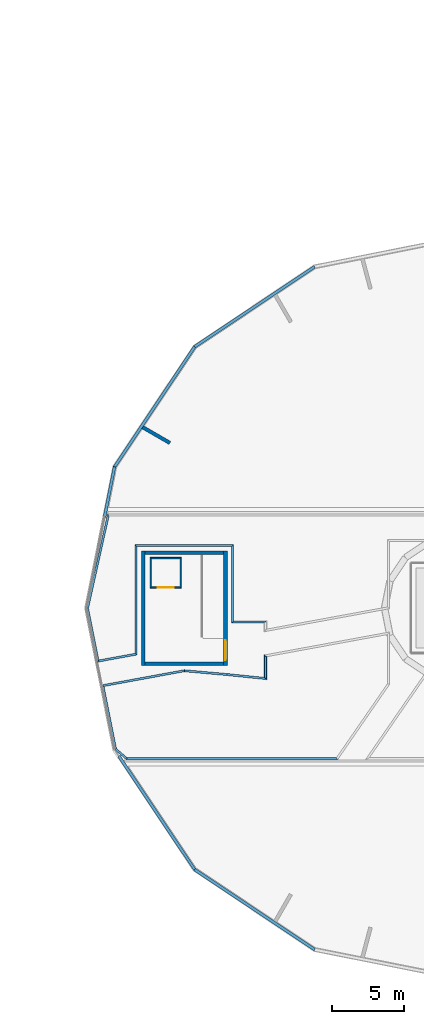
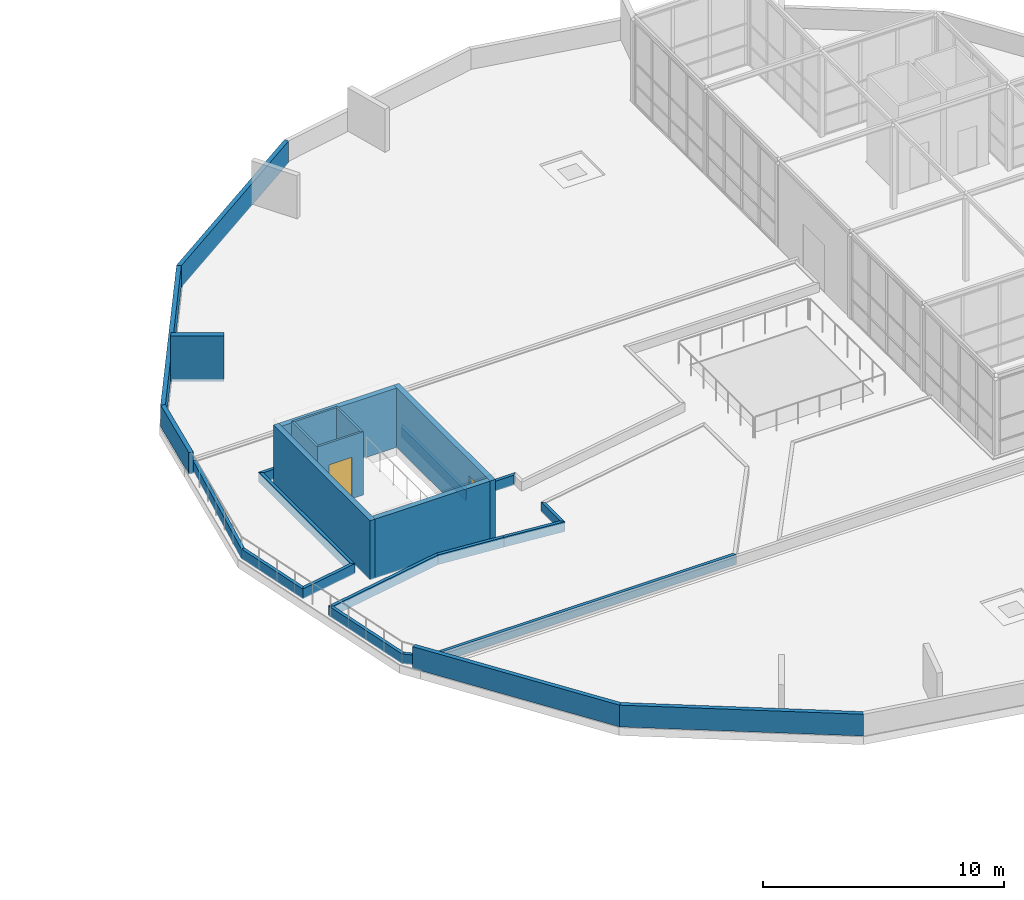
# One storey, part 25 of 40: 28 walls, 2 doors, 2 openings.
"""IFC4 building model written with IfcOpenShell, lengths in metres."""

from ifc_helpers import new_model, si_unit, direction, frame, frame_2d, origin, place, context, subcontext, project, spatial, polyline, rectangle, outline, extrude, material, layer, layer_set, type_object, element, fill, save


model = new_model("IFC4")

# Units and contexts
model_context = context("Model", 3, precision=1e-05, world=origin(), true_north=direction((0.0, 1.0)))
body_context = subcontext(model_context, "Body", "Model", "MODEL_VIEW")
ifc_project = project(units=[si_unit("LENGTHUNIT", "METRE"), si_unit("AREAUNIT", "SQUARE_METRE"), si_unit("VOLUMEUNIT", "CUBIC_METRE"), si_unit("PLANEANGLEUNIT", "RADIAN"), si_unit("MASSUNIT", "GRAM", prefix="KILO")], contexts=[model_context])

# Site, building, storey
site_placement = place(None, origin())
site = spatial("IfcSite", under=ifc_project, at=site_placement, CompositionType="ELEMENT")
building_placement = place(site_placement, origin())
building = spatial("IfcBuilding", under=site, at=building_placement, Name="Ceibo Conservatory and Research Tower", CompositionType="ELEMENT")
storey_placement = place(building_placement, frame((0.0, 0.0, 6.0)))
storey = spatial("IfcBuildingStorey", under=building, at=storey_placement, Name="L01", CompositionType="ELEMENT", Elevation=6.0)

# Wall, opening, door
ifc_material_1 = material(Name="Aluminium and glass", Category="aluminium")
ifc_layer_1 = layer(ifc_material_1, 0.10009765625)
ifc_layer_set_1 = layer_set([ifc_layer_1], Name="Aluminium and glass")
wall_type_1 = type_object("IfcWallType", Name="Glazed lift enclosure 100", PredefinedType="PARTITIONING", material=ifc_layer_set_1)
wall_1_placement = place(storey_placement, frame((146.64990234375, 37.449951171875, 0.0), z_axis=(0.0, 0.0, 1.0), x_axis=(1.0, 0.0, 0.0)))
wall_1 = element("IfcWall", 1, at=wall_1_placement, inside=storey, type_object=wall_type_1, Name="Lift enclosure wall 1 upper", PredefinedType="PARTITIONING", context=body_context, shape_type="SweptSolid", body=[
    extrude(outline(polyline([(-0.050048828125, -0.050048828125), (2.150146484375, -0.050048828125), (2.050048828125, 0.050048828125), (0.050048828125, 0.050048828125), (-0.050048828125, -0.050048828125)])), origin(), (0.0, 0.0, 1.0), 3.199951171875),
])
opening_1_placement = place(wall_1_placement, frame((0.5, 0.0, 0.0)))
opening_1 = element("IfcOpeningElement", 2, at=opening_1_placement, cuts=wall_1, Name="Opening VC-LDU", PredefinedType="OPENING", context=body_context, shape_type="SweptSolid", body=[
    extrude(rectangle(XDim=1.10009765625, YDim=2.10009765625, at=frame_2d((0.550048828125, 1.050048828125))), frame((0.0, 0.06005859375, 0.0), z_axis=(0.0, -1.0, 0.0), x_axis=(1.0, 0.0, 0.0)), (0.0, 0.0, 1.0), 0.1201171875),
])
door_type_1 = type_object("IfcDoorType", Name="Glass lift landing door 1100x2100", OperationType="DOUBLE_DOOR_SLIDING", PredefinedType="DOOR", material=ifc_material_1)
door_1_placement = place(opening_1_placement, origin())
door_1 = element("IfcDoor", 3, at=door_1_placement, inside=storey, type_object=door_type_1, Name="Lift landing door U", OperationType="DOUBLE_DOOR_SLIDING", OverallHeight=2.10009765625, OverallWidth=1.10009765625, PredefinedType="DOOR", context=body_context, shape_type="SweptSolid", body=[
    extrude(rectangle(XDim=1.10009765625, YDim=2.10009765625, at=frame_2d((0.550048828125, 1.050048828125))), frame((0.0, 0.02490234375, 0.0), z_axis=(0.0, -1.0, 0.0), x_axis=(1.0, 0.0, 0.0)), (0.0, 0.0, 1.0), 0.050048828125),
])
fill(opening_1, door_1)

# Walls
wall_2_placement = place(storey_placement, frame((148.75, 37.449951171875, 0.0), z_axis=(0.0, 0.0, 1.0), x_axis=(0.0, 1.0, 0.0)))
element("IfcWall", 4, at=wall_2_placement, inside=storey, type_object=wall_type_1, Name="Lift enclosure wall 2 upper", PredefinedType="PARTITIONING", context=body_context, shape_type="SweptSolid", body=[
    extrude(outline(polyline([(-0.050048828125, -0.050048828125), (2.10009765625, -0.050048828125), (2.0, 0.050048828125), (0.050048828125, 0.050048828125), (-0.050048828125, -0.050048828125)])), origin(), (0.0, 0.0, 1.0), 3.199951171875),
])
wall_3_placement = place(storey_placement, frame((148.75, 39.5, 0.0), z_axis=(0.0, 0.0, 1.0), x_axis=(-1.0, 0.0, 0.0)))
element("IfcWall", 5, at=wall_3_placement, inside=storey, type_object=wall_type_1, Name="Lift enclosure wall 3 upper", PredefinedType="PARTITIONING", context=body_context, shape_type="SweptSolid", body=[
    extrude(outline(polyline([(-0.050048828125, -0.050048828125), (2.150146484375, -0.050048828125), (2.050048828125, 0.050048828125), (0.050048828125, 0.050048828125), (-0.050048828125, -0.050048828125)])), origin(), (0.0, 0.0, 1.0), 3.199951171875),
])
wall_4_placement = place(storey_placement, frame((146.64990234375, 39.5, 0.0), z_axis=(0.0, 0.0, 1.0), x_axis=(0.0, -1.0, 0.0)))
element("IfcWall", 6, at=wall_4_placement, inside=storey, type_object=wall_type_1, Name="Lift enclosure wall 4 upper", PredefinedType="PARTITIONING", context=body_context, shape_type="SweptSolid", body=[
    extrude(outline(polyline([(-0.050048828125, -0.050048828125), (2.10009765625, -0.050048828125), (2.0, 0.050048828125), (0.050048828125, 0.050048828125), (-0.050048828125, -0.050048828125)])), origin(), (0.0, 0.0, 1.0), 3.199951171875),
])

# Wall, opening, door
ifc_material_2 = material(Name="Concrete C35/45", Category="concrete")
ifc_layer_2 = layer(ifc_material_2, 0.25)
ifc_layer_set_2 = layer_set([ifc_layer_2], Name="Concrete C35/45")
wall_type_2 = type_object("IfcWallType", Name="Head house wall 250", PredefinedType="SOLIDWALL", material=ifc_layer_set_2)
wall_5_placement = place(storey_placement, frame((151.875, 32.0, -0.050048828125), z_axis=(0.0, 0.0, 1.0), x_axis=(0.0, 1.0, 0.0)))
wall_5 = element("IfcWall", 7, at=wall_5_placement, inside=storey, type_object=wall_type_2, Name="Head house wall VC-HE", PredefinedType="SOLIDWALL", context=body_context, shape_type="SweptSolid", body=[
    extrude(rectangle(XDim=8.0, YDim=0.25, at=frame_2d((4.0, 0.0))), origin(), (0.0, 0.0, 1.0), 3.0),
])
opening_2_placement = place(wall_5_placement, frame((0.364990234375, 0.0, 0.0)))
opening_2 = element("IfcOpeningElement", 8, at=opening_2_placement, cuts=wall_5, Name="Opening VC-HD1", PredefinedType="OPENING", context=body_context, shape_type="SweptSolid", body=[
    extrude(rectangle(XDim=1.39990234375, YDim=2.199951171875, at=frame_2d((0.699951171875, 1.10009765625))), frame((0.0, 0.135009765625, 0.0), z_axis=(0.0, -1.0, 0.0), x_axis=(1.0, 0.0, 0.0)), (0.0, 0.0, 1.0), 0.27001953125),
])
door_type_2 = type_object("IfcDoorType", Name="Head house door 1400x2200", OperationType="DOUBLE_DOOR_SINGLE_SWING", PredefinedType="DOOR", material=ifc_material_1)
door_2_placement = place(opening_2_placement, origin())
door_2 = element("IfcDoor", 9, at=door_2_placement, inside=storey, type_object=door_type_2, Name="Head house door onto the terrace", OperationType="DOUBLE_DOOR_SINGLE_SWING", OverallHeight=2.199951171875, OverallWidth=1.39990234375, PredefinedType="DOOR", context=body_context, shape_type="SweptSolid", body=[
    extrude(rectangle(XDim=1.39990234375, YDim=2.199951171875, at=frame_2d((0.699951171875, 1.10009765625))), frame((0.0, 0.02490234375, 0.0), z_axis=(0.0, -1.0, 0.0), x_axis=(1.0, 0.0, 0.0)), (0.0, 0.0, 1.0), 0.050048828125),
])
fill(opening_2, door_2)

# Walls
wall_6_placement = place(storey_placement, frame((146.125, 32.0, -0.050048828125), z_axis=(0.0, 0.0, 1.0), x_axis=(0.0, 1.0, 0.0)))
element("IfcWall", 10, at=wall_6_placement, inside=storey, type_object=wall_type_2, Name="Head house wall VC-HW", PredefinedType="SOLIDWALL", context=body_context, shape_type="SweptSolid", body=[
    extrude(rectangle(XDim=8.0, YDim=0.25, at=frame_2d((4.0, 0.0))), origin(), (0.0, 0.0, 1.0), 3.0),
])
for number, where, z_axis, x_axis, name in (
    (11, (146.25, 32.125, -0.050048828125), (0.0, 0.0, 1.0), (1.0, 0.0, 0.0), "Head house wall VC-HS"),
    (12, (146.25, 39.875, -0.050048828125), (0.0, 0.0, 1.0), (1.0, 0.0, 0.0), "Head house wall VC-HN"),
):
    element("IfcWall", number, at=place(storey_placement, frame(where, z_axis=z_axis, x_axis=x_axis)), inside=storey, type_object=wall_type_2, Name=name, PredefinedType="SOLIDWALL", context=body_context, shape_type="SweptSolid", body=[
        extrude(rectangle(XDim=5.5, YDim=0.25, at=frame_2d((2.75, 0.0))), origin(), (0.0, 0.0, 1.0), 3.0),
    ])
ifc_layer_3 = layer(ifc_material_2, 0.25)
ifc_layer_set_3 = layer_set([ifc_layer_3], Name="Concrete C35/45")
wall_type_3 = type_object("IfcWallType", Name="Rim crown fin 250", PredefinedType="SOLIDWALL", material=ifc_layer_set_3)
wall_7_placement = place(storey_placement, frame((146.085693359375, 48.65234375, -0.050048828125), z_axis=(0.0, 0.0, 1.0), x_axis=(0.86598042715, -0.500077893725, 0.0)))
element("IfcWall", 13, at=wall_7_placement, inside=storey, type_object=wall_type_3, Name="Rim crown fin VC-CF06", PredefinedType="SOLIDWALL", context=body_context, shape_type="SweptSolid", body=[
    extrude(outline(polyline([(-0.00830078125, -0.125), (2.199951171875, -0.125), (2.199951171875, 0.125), (0.00830078125, 0.125), (-0.00830078125, -0.125)])), origin(), (0.0, 0.0, 1.0), 2.300048828125),
])
ifc_material_3 = material(Name="Concrete C30/37", Category="concrete")
ifc_layer_4 = layer(ifc_material_3, 0.14990234375)
ifc_layer_set_4 = layer_set([ifc_layer_4], Name="Concrete C30/37")
wall_type_4 = type_object("IfcWallType", Name="Roof garden bed kerb wall 150", PredefinedType="PARAPET", material=ifc_layer_set_4)
wall_8_placement = place(storey_placement, frame((148.99609375, 31.62451171875, -0.050048828125), z_axis=(0.0, 0.0, 1.0), x_axis=(-0.983582964216, -0.180456511395, 0.0)))
element("IfcWall", 14, at=wall_8_placement, inside=storey, type_object=wall_type_4, Name="Planting bed PB01 kerb 01", PredefinedType="PARAPET", context=body_context, shape_type="SweptSolid", body=[
    extrude(outline(polyline([(-0.01025390625, -0.074951171875), (5.85986328125, -0.074951171875), (5.70751953125, 0.074951171875), (0.01025390625, 0.074951171875), (-0.01025390625, -0.074951171875)])), origin(), (0.0, 0.0, 1.0), 0.5),
])
wall_9_placement = place(storey_placement, frame((143.307373046875, 30.580810546875, -0.050048828125), z_axis=(0.0, 0.0, 1.0), x_axis=(0.195097795379, -0.980783793829, 0.0)))
element("IfcWall", 15, at=wall_9_placement, inside=storey, type_object=wall_type_4, Name="Planting bed PB01 kerb 02", PredefinedType="PARAPET", context=body_context, shape_type="SweptSolid", body=[
    extrude(outline(polyline([(-0.076171875, -0.074951171875), (4.544677734375, -0.074951171875), (4.492919921875, 0.074951171875), (0.076171875, 0.074951171875), (-0.076171875, -0.074951171875)])), origin(), (0.0, 0.0, 1.0), 0.5),
])
wall_10_placement = place(storey_placement, frame((144.18896484375, 26.14892578125, -0.050048828125), z_axis=(0.0, 0.0, 1.0), x_axis=(0.760451137775, -0.649395154783, 0.0)))
element("IfcWall", 16, at=wall_10_placement, inside=storey, type_object=wall_type_4, Name="Planting bed PB01 kerb 03", PredefinedType="PARAPET", context=body_context, shape_type="SweptSolid", body=[
    extrude(outline(polyline([(-0.02587890625, -0.074951171875), (1.065185546875, -0.074951171875), (1.010009765625, 0.074951171875), (0.02587890625, 0.074951171875), (-0.02587890625, -0.074951171875)])), origin(), (0.0, 0.0, 1.0), 0.5),
])
wall_11_placement = place(storey_placement, frame((144.97802734375, 25.47509765625, -0.050048828125), z_axis=(0.0, 0.0, 1.0), x_axis=(1.0, 0.0, 0.0)))
element("IfcWall", 17, at=wall_11_placement, inside=storey, type_object=wall_type_4, Name="Planting bed PB01 kerb 04", PredefinedType="PARAPET", context=body_context, shape_type="SweptSolid", body=[
    extrude(outline(polyline([(-0.027587890625, -0.074951171875), (14.736083984375, -0.074951171875), (14.657470703125, 0.074951171875), (0.027587890625, 0.074951171875), (-0.027587890625, -0.074951171875)])), origin(), (0.0, 0.0, 1.0), 0.5),
])
wall_12_placement = place(storey_placement, frame((154.675048828125, 32.666015625, -0.050048828125), z_axis=(0.0, 0.0, 1.0), x_axis=(0.0, -1.0, 0.0)))
element("IfcWall", 18, at=wall_12_placement, inside=storey, type_object=wall_type_4, Name="Planting bed PB01 kerb 08", PredefinedType="PARAPET", context=body_context, shape_type="SweptSolid", body=[
    extrude(outline(polyline([(-0.0625, -0.074951171875), (1.501220703125, -0.074951171875), (1.667236328125, 0.074951171875), (0.0625, 0.074951171875), (-0.0625, -0.074951171875)])), origin(), (0.0, 0.0, 1.0), 0.5),
])
wall_13_placement = place(storey_placement, frame((154.675048828125, 31.081787109375, -0.050048828125), z_axis=(0.0, 0.0, 1.0), x_axis=(-0.994742485046, 0.102407951082, 0.0)))
element("IfcWall", 19, at=wall_13_placement, inside=storey, type_object=wall_type_4, Name="Planting bed PB01 kerb 09", PredefinedType="PARAPET", context=body_context, shape_type="SweptSolid", body=[
    extrude(outline(polyline([(0.0830078125, -0.074951171875), (2.69677734375, -0.074951171875), (2.69580078125, 0.074951171875), (-0.0830078125, 0.074951171875), (0.0830078125, -0.074951171875)])), origin(), (0.0, 0.0, 1.0), 0.5),
])
wall_14_placement = place(storey_placement, frame((151.992919921875, 31.35791015625, -0.050048828125), z_axis=(0.0, 0.0, 1.0), x_axis=(-0.996066276854, 0.088611354324, 0.0)))
element("IfcWall", 20, at=wall_14_placement, inside=storey, type_object=wall_type_4, Name="Planting bed PB01 kerb 10", PredefinedType="PARAPET", context=body_context, shape_type="SweptSolid", body=[
    extrude(outline(polyline([(-0.00048828125, -0.074951171875), (3.018798828125, -0.074951171875), (2.998291015625, 0.074951171875), (0.00048828125, 0.074951171875), (-0.00048828125, -0.074951171875)])), origin(), (0.0, 0.0, 1.0), 0.5),
])
wall_15_placement = place(storey_placement, frame((143.687255859375, 42.52490234375, -0.050048828125), z_axis=(0.0, 0.0, 1.0), x_axis=(-0.218008911862, -0.975946778441, 0.0)))
element("IfcWall", 21, at=wall_15_placement, inside=storey, type_object=wall_type_4, Name="Planting bed PB02 kerb 03", PredefinedType="PARAPET", context=body_context, shape_type="SweptSolid", body=[
    extrude(outline(polyline([(-0.06005859375, -0.074951171875), (6.70263671875, -0.074951171875), (6.6708984375, 0.074951171875), (0.06005859375, 0.074951171875), (-0.06005859375, -0.074951171875)])), origin(), (0.0, 0.0, 1.0), 0.5),
])
wall_16_placement = place(storey_placement, frame((142.2294921875, 35.9990234375, -0.050048828125), z_axis=(0.0, 0.0, 1.0), x_axis=(0.195095964935, -0.98078415794, 0.0)))
element("IfcWall", 22, at=wall_16_placement, inside=storey, type_object=wall_type_4, Name="Planting bed PB02 kerb 04", PredefinedType="PARAPET", context=body_context, shape_type="SweptSolid", body=[
    extrude(outline(polyline([(-0.015869140625, -0.074951171875), (3.847900390625, -0.074951171875), (3.700439453125, 0.074951171875), (0.015869140625, 0.074951171875), (-0.015869140625, -0.074951171875)])), origin(), (0.0, 0.0, 1.0), 0.5),
])
wall_17_placement = place(storey_placement, frame((142.9658203125, 32.29736328125, -0.050048828125), z_axis=(0.0, 0.0, 1.0), x_axis=(0.983588399423, 0.180426884139, 0.0)))
element("IfcWall", 23, at=wall_17_placement, inside=storey, type_object=wall_type_4, Name="Planting bed PB02 kerb 05", PredefinedType="PARAPET", context=body_context, shape_type="SweptSolid", body=[
    extrude(outline(polyline([(-0.07373046875, -0.074951171875), (2.76611328125, -0.074951171875), (2.64111328125, 0.074951171875), (0.07373046875, 0.074951171875), (-0.07373046875, -0.074951171875)])), origin(), (0.0, 0.0, 1.0), 0.5),
])
wall_18_placement = place(storey_placement, frame((145.625, 32.78515625, -0.050048828125), z_axis=(0.0, 0.0, 1.0), x_axis=(0.0, 1.0, 0.0)))
element("IfcWall", 24, at=wall_18_placement, inside=storey, type_object=wall_type_4, Name="Planting bed PB02 kerb 06", PredefinedType="PARAPET", context=body_context, shape_type="SweptSolid", body=[
    extrude(outline(polyline([(-0.0625, -0.074951171875), (7.514892578125, -0.074951171875), (7.664794921875, 0.074951171875), (0.0625, 0.074951171875), (-0.0625, -0.074951171875)])), origin(), (0.0, 0.0, 1.0), 0.5),
])
wall_19_placement = place(storey_placement, frame((145.625, 40.375, -0.050048828125), z_axis=(0.0, 0.0, 1.0), x_axis=(1.0, 0.0, 0.0)))
element("IfcWall", 25, at=wall_19_placement, inside=storey, type_object=wall_type_4, Name="Planting bed PB02 kerb 07", PredefinedType="PARAPET", context=body_context, shape_type="SweptSolid", body=[
    extrude(outline(polyline([(0.074951171875, -0.074951171875), (6.675048828125, -0.074951171875), (6.824951171875, 0.074951171875), (-0.074951171875, 0.074951171875), (0.074951171875, -0.074951171875)])), origin(), (0.0, 0.0, 1.0), 0.5),
])
wall_20_placement = place(storey_placement, frame((152.375, 40.375, -0.050048828125), z_axis=(0.0, 0.0, 1.0), x_axis=(0.0, -1.0, 0.0)))
element("IfcWall", 26, at=wall_20_placement, inside=storey, type_object=wall_type_4, Name="Planting bed PB02 kerb 08", PredefinedType="PARAPET", context=body_context, shape_type="SweptSolid", body=[
    extrude(outline(polyline([(0.074951171875, -0.074951171875), (5.409912109375, -0.074951171875), (5.260009765625, 0.074951171875), (-0.074951171875, 0.074951171875), (0.074951171875, -0.074951171875)])), origin(), (0.0, 0.0, 1.0), 0.5),
])
wall_21_placement = place(storey_placement, frame((152.375, 35.0400390625, -0.050048828125), z_axis=(0.0, 0.0, 1.0), x_axis=(1.0, 0.0, 0.0)))
element("IfcWall", 27, at=wall_21_placement, inside=storey, type_object=wall_type_4, Name="Planting bed PB02 kerb 09", PredefinedType="PARAPET", context=body_context, shape_type="SweptSolid", body=[
    extrude(outline(polyline([(-0.074951171875, -0.074951171875), (2.22509765625, -0.074951171875), (2.375, 0.074951171875), (0.074951171875, 0.074951171875), (-0.074951171875, -0.074951171875)])), origin(), (0.0, 0.0, 1.0), 0.5),
])
ifc_layer_5 = layer(ifc_material_2, 0.199951171875)
ifc_layer_set_5 = layer_set([ifc_layer_5], Name="Concrete C35/45")
wall_type_5 = type_object("IfcWallType", Name="Roof parapet 200", PredefinedType="PARAPET", material=ifc_layer_set_5)
for number, where, z_axis, x_axis, name in (
    (28, (158.108642578125, 59.879638671875, -0.050048828125), (0.0, 0.0, 1.0), (-0.831461376043, -0.555582559255, 0.0), "Pavilion parapet 6"),
    (29, (149.723388671875, 54.276611328125, -0.050048828125), (0.0, 0.0, 1.0), (-0.555582559255, -0.831461376043, 0.0), "Pavilion parapet 7"),
):
    element("IfcWall", number, at=place(storey_placement, frame(where, z_axis=z_axis, x_axis=x_axis)), inside=storey, type_object=wall_type_5, Name=name, PredefinedType="PARAPET", context=body_context, shape_type="SweptSolid", body=[
        extrude(outline(polyline([(-0.019775390625, -0.10009765625), (10.104736328125, -0.10009765625), (10.065185546875, 0.10009765625), (0.019775390625, 0.10009765625), (-0.019775390625, -0.10009765625)])), origin(), (0.0, 0.0, 1.0), 1.10009765625),
    ])
wall_22_placement = place(storey_placement, frame((144.120361328125, 45.891357421875, -0.050048828125), z_axis=(0.0, 0.0, 1.0), x_axis=(-0.195075759432, -0.980788176969, 0.0)))
element("IfcWall", 30, at=wall_22_placement, inside=storey, type_object=wall_type_5, Name="Pavilion parapet 8", PredefinedType="PARAPET", context=body_context, shape_type="SweptSolid", body=[
    extrude(outline(polyline([(-0.019775390625, -0.10009765625), (3.610595703125, -0.10009765625), (3.610595703125, 0.10009765625), (0.019775390625, 0.10009765625), (-0.019775390625, -0.10009765625)])), origin(), (0.0, 0.0, 1.0), 1.10009765625),
])
wall_23_placement = place(storey_placement, frame((144.427001953125, 25.64990234375, -0.050048828125), z_axis=(0.0, 0.0, 1.0), x_axis=(0.555574555908, -0.831466723825, 0.0)))
element("IfcWall", 31, at=wall_23_placement, inside=storey, type_object=wall_type_5, Name="Pavilion parapet 9", PredefinedType="PARAPET", context=body_context, shape_type="SweptSolid", body=[
    extrude(outline(polyline([(0.0, -0.10009765625), (9.552978515625, -0.10009765625), (9.513427734375, 0.10009765625), (0.0, 0.10009765625), (0.0, -0.10009765625)])), origin(), (0.0, 0.0, 1.0), 1.10009765625),
])
wall_24_placement = place(storey_placement, frame((149.723388671875, 17.723388671875, -0.050048828125), z_axis=(0.0, 0.0, 1.0), x_axis=(0.831461376043, -0.555582559255, 0.0)))
element("IfcWall", 32, at=wall_24_placement, inside=storey, type_object=wall_type_5, Name="Pavilion parapet 10", PredefinedType="PARAPET", context=body_context, shape_type="SweptSolid", body=[
    extrude(outline(polyline([(-0.019775390625, -0.10009765625), (10.104736328125, -0.10009765625), (10.065185546875, 0.10009765625), (0.019775390625, 0.10009765625), (-0.019775390625, -0.10009765625)])), origin(), (0.0, 0.0, 1.0), 1.10009765625),
])

save(model, "model.ifc")
